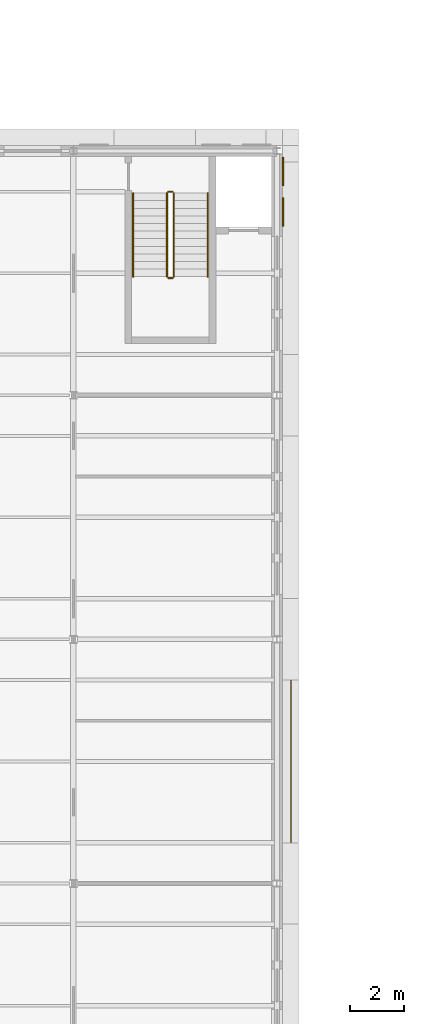
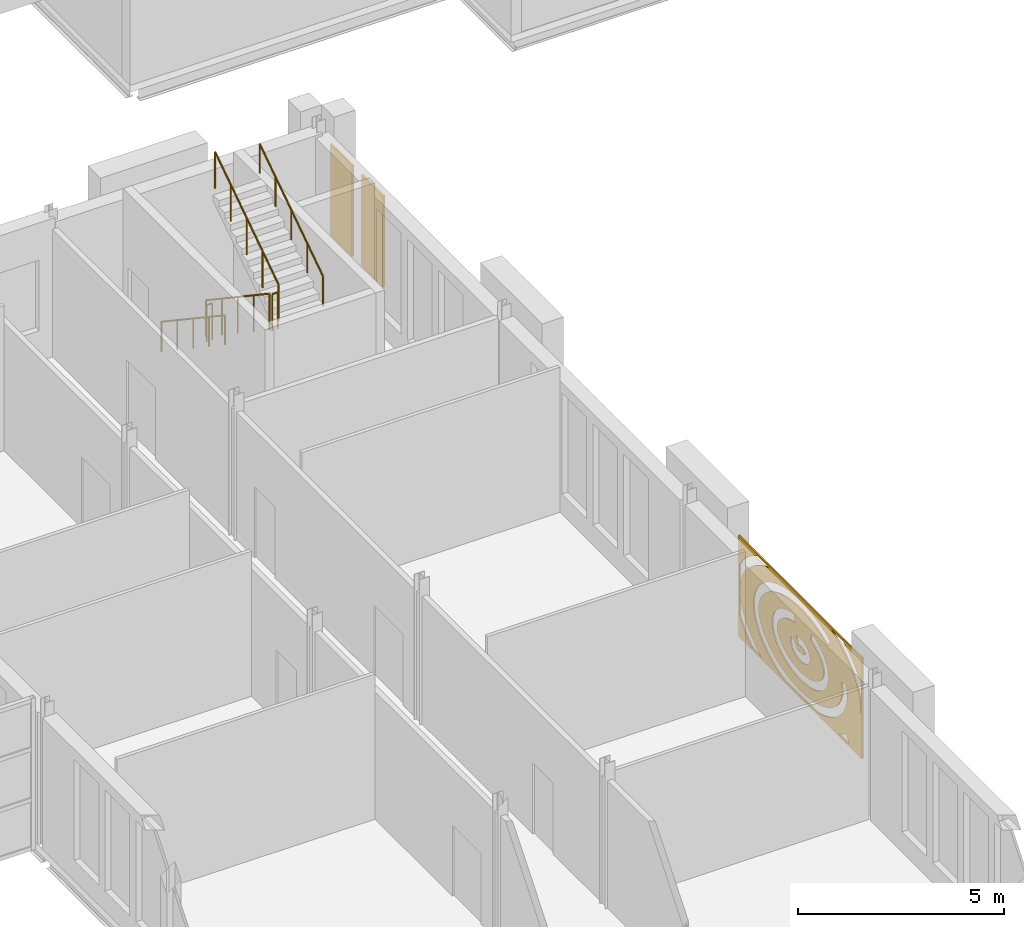
# One storey, part 116 of 131: 6 railings, 3 coverings.
"""IFC4 building model written with IfcOpenShell, lengths in metres."""

import ifcopenshell
import ifcopenshell.guid

model = None  # the IFC model being written
_history = None  # IfcOwnerHistory: only IFC2X3 demands one
_inside = {}  # id of a spatial element -> (the spatial element, [elements in it])
_under = {}  # id of a project, library or spatial element -> (it, [spatial elements below it])
_declared = {}  # id of a project -> (the project, [libraries it declares])
_typed = {}  # id of a type object -> (the type object, [elements of that type])
_made_of = {}  # id of a material, layer set ... -> (it, [elements and type objects made of it])


def new_model(schema):
    """Start an empty IFC model of exactly this schema.

    Asked for "IFC4X3", IfcOpenShell would pick the latest addendum, in which some entities
    have other attributes; the version numbers below select the first issue.
    IFC2X3 requires an IfcOwnerHistory on every rooted entity: one is made here for all.
    """
    global model, _history
    if schema == "IFC4X3":
        model = ifcopenshell.file(schema_version=(4, 3, 0, 0))
    else:
        model = ifcopenshell.file(schema=schema)
    _inside.clear()
    _under.clear()
    _declared.clear()
    _typed.clear()
    _made_of.clear()
    _history = None
    if model.schema == "IFC2X3":
        org = make("IfcOrganization", Name="unknown")
        user = make(
            "IfcPersonAndOrganization",
            ThePerson=make("IfcPerson", FamilyName="unknown"),
            TheOrganization=org,
        )
        app = make(
            "IfcApplication",
            ApplicationDeveloper=org,
            Version="unknown",
            ApplicationFullName="unknown",
            ApplicationIdentifier="unknown",
        )
        _history = make(
            "IfcOwnerHistory",
            OwningUser=user,
            OwningApplication=app,
            ChangeAction="ADDED",
            CreationDate=0,
        )
    return model


def make(cls, **values):
    """One entity of the class cls with the attributes given. An attribute that is None is left unset."""
    return model.create_entity(
        cls, **{name: value for name, value in values.items() if value is not None}
    )


def rooted(cls, **values):
    """An entity with a GlobalId (a new one), such as an element, a storey or a relation."""
    return make(cls, GlobalId=ifcopenshell.guid.new(), OwnerHistory=_history, **values)


def si_unit(unit_type, name, prefix=None):
    """IfcSIUnit, for example si_unit("LENGTHUNIT", "METRE", prefix="MILLI")."""
    return make("IfcSIUnit", UnitType=unit_type, Prefix=prefix, Name=name)


def assignment(units):
    """IfcUnitAssignment: the units of a project."""
    return None if units is None else make("IfcUnitAssignment", Units=units)


def point(xyz):
    """IfcCartesianPoint."""
    return None if xyz is None else make("IfcCartesianPoint", Coordinates=xyz)


def direction(xyz):
    """IfcDirection."""
    return None if xyz is None else make("IfcDirection", DirectionRatios=xyz)


def frame(location, z_axis=None, x_axis=None):
    """IfcAxis2Placement3D, a coordinate frame: its origin and axes. An axis left out is left unset."""
    return make(
        "IfcAxis2Placement3D",
        Location=point(location),
        Axis=direction(z_axis),
        RefDirection=direction(x_axis),
    )


def frame_2d(location, x_axis=None):
    """IfcAxis2Placement2D, a coordinate frame in the plane: its origin and x axis."""
    return make(
        "IfcAxis2Placement2D", Location=point(location), RefDirection=direction(x_axis)
    )


def origin():
    """The frame at (0, 0, 0) with its axes left unset."""
    return frame((0.0, 0.0, 0.0))


def origin_2d():
    """The frame at (0, 0) in the plane with its x axis left unset."""
    return frame_2d((0.0, 0.0))


def place(relative_to, where):
    """IfcLocalPlacement: puts the frame where relative to a parent placement (None: the world)."""
    return make(
        "IfcLocalPlacement", PlacementRelTo=relative_to, RelativePlacement=where
    )


def context(
    kind, dimensions, precision=None, world=None, true_north=None, identifier=None
):
    """IfcGeometricRepresentationContext, for example the 3D "Model" context."""
    return make(
        "IfcGeometricRepresentationContext",
        ContextIdentifier=identifier,
        ContextType=kind,
        CoordinateSpaceDimension=dimensions,
        Precision=precision,
        WorldCoordinateSystem=world,
        TrueNorth=true_north,
    )


def subcontext(parent, identifier, kind, view, scale=None):
    """IfcGeometricRepresentationSubContext, for example "Body" below "Model"."""
    return make(
        "IfcGeometricRepresentationSubContext",
        ContextIdentifier=identifier,
        ContextType=kind,
        ParentContext=parent,
        TargetScale=scale,
        TargetView=view,
    )


def project(units=None, contexts=None):
    """IfcProject with its units and contexts."""
    return rooted(
        "IfcProject",
        Name="project",
        RepresentationContexts=contexts,
        UnitsInContext=assignment(units),
    )


def spatial(cls, under=None, at=None, **own):
    """A site, building, storey or space (cls), placed at a placement, below another one or the project."""
    s = rooted(cls, ObjectPlacement=at, **own)
    if under is not None:
        _under.setdefault(under.id(), (under, []))[1].append(s)
    return s


def polyline(points):
    """IfcPolyline through the points."""
    return make("IfcPolyline", Points=[point(p) for p in points])


def profile(cls, at=None, kind="AREA", **sizes):
    """A parametric profile (cls). Its sizes go by their IFC names, for example OverallWidth=200.0."""
    return make(cls, ProfileType=kind, Position=at, **sizes)


def circle(**sizes):
    """IfcCircleProfileDef."""
    return profile("IfcCircleProfileDef", **sizes)


def outline(outer, holes=None, kind="AREA"):
    """IfcArbitraryClosedProfileDef: a profile drawn as a closed curve; with holes, ...WithVoids."""
    if holes is None:
        return make("IfcArbitraryClosedProfileDef", ProfileType=kind, OuterCurve=outer)
    return make(
        "IfcArbitraryProfileDefWithVoids",
        ProfileType=kind,
        OuterCurve=outer,
        InnerCurves=holes,
    )


def extrude(swept, where, along, depth):
    """IfcExtrudedAreaSolid: the profile swept, set in the frame where, extruded along a direction by depth."""
    return make(
        "IfcExtrudedAreaSolid",
        SweptArea=swept,
        Position=where,
        ExtrudedDirection=direction(along),
        Depth=depth,
    )


def shape(context_of_items, identifier, shape_type, items):
    """IfcShapeRepresentation: the items that make up one representation, for example the "Body"."""
    return make(
        "IfcShapeRepresentation",
        ContextOfItems=context_of_items,
        RepresentationIdentifier=identifier,
        RepresentationType=shape_type,
        Items=items,
    )


def material(Name=None, Category=None):
    """IfcMaterial."""
    return make("IfcMaterial", Name=Name, Category=Category)


def layer(
    of_material, thickness, ventilated=None, Name=None, Category=None, Priority=None
):
    """IfcMaterialLayer: one layer of a wall or slab, of a material (None: an air gap)."""
    return make(
        "IfcMaterialLayer",
        Material=of_material,
        LayerThickness=thickness,
        IsVentilated=ventilated,
        Name=Name,
        Category=Category,
        Priority=Priority,
    )


def layer_set(layers, Name=None):
    """IfcMaterialLayerSet."""
    return make("IfcMaterialLayerSet", MaterialLayers=layers, LayerSetName=Name)


def made_of(thing, what):
    """Note that an element or type object is made of a material, layer set ...; save() writes the relation."""
    if what is not None:
        _made_of.setdefault(what.id(), (what, []))[1].append(thing)
    return thing


def type_object(cls, material=None, **own):
    """A type object (cls), such as IfcWallType, which elements share."""
    return made_of(rooted(cls, **own), material)


def element(
    cls,
    number,
    at=None,
    inside=None,
    cuts=None,
    type_object=None,
    material=None,
    context=None,
    identifier="Body",
    shape_type=None,
    held_by="IfcProductDefinitionShape",
    body=None,
    shapes=None,
    **own,
):
    """One element of the class cls, such as IfcWall. Its Tag is "e" and its number.

    at: its placement. inside: the storey or other place that contains it. cuts: it is an
    opening in that element (IfcRelVoidsElement). A single representation is given by context,
    identifier, shape_type and body (its items); several are given by shapes. held_by: the class
    of the entity that holds the representations. save() writes the other relations.
    """
    e = rooted(cls, Tag="e%d" % number, ObjectPlacement=at, **own)
    if body is not None:
        shapes = [shape(context, identifier, shape_type, body)]
    if shapes is not None:
        e.Representation = make(held_by, Representations=shapes)
    if inside is not None:
        _inside.setdefault(inside.id(), (inside, []))[1].append(e)
    if cuts is not None:
        rooted(
            "IfcRelVoidsElement", RelatingBuildingElement=cuts, RelatedOpeningElement=e
        )
    if type_object is not None:
        _typed.setdefault(type_object.id(), (type_object, []))[1].append(e)
    return made_of(e, material)


def aggregate(whole, parts):
    """IfcRelAggregates: a whole, such as a stair, and the parts it consists of."""
    return rooted("IfcRelAggregates", RelatingObject=whole, RelatedObjects=parts)


def save(model, path):
    """Write the relations noted so far, then the file.

    IfcRelAggregates (storeys below a building ...), IfcRelContainedInSpatialStructure (elements
    in a storey), IfcRelDefinesByType, IfcRelAssociatesMaterial and IfcRelDeclares: one each for
    every whole, place, type object, material and project.
    """
    for whole, parts in _under.values():
        aggregate(whole, parts)
    for where, things in _inside.values():
        rooted(
            "IfcRelContainedInSpatialStructure",
            RelatedElements=things,
            RelatingStructure=where,
        )
    for kind, things in _typed.values():
        rooted("IfcRelDefinesByType", RelatedObjects=things, RelatingType=kind)
    for what, things in _made_of.values():
        rooted("IfcRelAssociatesMaterial", RelatedObjects=things, RelatingMaterial=what)
    for by, libraries in _declared.values():
        rooted("IfcRelDeclares", RelatingContext=by, RelatedDefinitions=libraries)
    model.write(path)


model = new_model("IFC4")

# Units and contexts
model_context = context("Model", 3, precision=1e-05, world=origin(), true_north=direction((0.0, 1.0)))
body_context = subcontext(model_context, "Body", "Model", "MODEL_VIEW")
ifc_project = project(units=[si_unit("LENGTHUNIT", "METRE"), si_unit("AREAUNIT", "SQUARE_METRE"), si_unit("VOLUMEUNIT", "CUBIC_METRE"), si_unit("PLANEANGLEUNIT", "RADIAN"), si_unit("MASSUNIT", "GRAM", prefix="KILO")], contexts=[model_context])

# Site, building, storey
site_placement = place(None, origin())
site = spatial("IfcSite", under=ifc_project, at=site_placement, CompositionType="ELEMENT")
building_placement = place(site_placement, origin())
building = spatial("IfcBuilding", under=site, at=building_placement, Name="Golden Quay Civic Hall", CompositionType="ELEMENT")
storey_placement = place(building_placement, frame((0.0, 0.0, 9.89990234375)))
storey = spatial("IfcBuildingStorey", under=building, at=storey_placement, Name="L02", CompositionType="ELEMENT", Elevation=9.89990234375)

# Covering
ifc_material_1 = material(Name="Aluminium, golden anodised, perforated", Category="aluminium")
ifc_layer_1 = layer(ifc_material_1, 0.0400390625)
ifc_layer_set_1 = layer_set([ifc_layer_1], Name="Perforated screen panel 6000 x 3000 x 40")
covering_type_1 = type_object("IfcCoveringType", Name="Perforated screen panel 6000 x 3000 x 40", PredefinedType="CLADDING", material=ifc_layer_set_1)
covering_1_placement = place(storey_placement, frame((117.5, 31.5, 2.10009765625), z_axis=(1.0, 0.0, 0.0), x_axis=(0.0, 1.0, 0.0)))
element("IfcCovering", 1, at=covering_1_placement, inside=storey, type_object=covering_type_1, Name="Perforated screen panel 6000 x 3000 x 40 L02 9", PredefinedType="CLADDING", context=body_context, shape_type="SweptSolid", body=[
    extrude(outline(polyline([(-3.0, -1.5), (3.0, -1.5), (3.0, 1.5), (-3.0, 1.5), (-3.0, -1.5)]), holes=[polyline([(0.0810546875, 0.0087890625), (0.03125, 0.015380859375), (-0.02001953125, 0.01611328125), (-0.070556640625, 0.0107421875), (-0.1171875, 0.0), (-0.157470703125, -0.014892578125), (-0.201904296875, -0.04150390625), (-0.223876953125, -0.065185546875), (-0.228515625, -0.07470703125), (-0.228271484375, -0.085205078125), (-0.211181640625, -0.10986328125), (-0.17431640625, -0.13671875), (-0.1376953125, -0.1533203125), (-0.093994140625, -0.166259765625), (-0.044921875, -0.17431640625), (0.006103515625, -0.176513671875), (0.05712890625, -0.1728515625), (0.10498046875, -0.16357421875), (0.1474609375, -0.1494140625), (0.1953125, -0.123291015625), (0.215087890625, -0.10595703125), (0.227783203125, -0.087158203125), (0.227783203125, -0.072998046875), (0.2177734375, -0.055908203125), (0.421630859375, 0.072509765625), (0.449951171875, 0.020263671875), (0.4619140625, -0.015380859375), (0.46875, -0.052978515625), (0.469970703125, -0.09130859375), (0.46533203125, -0.12939453125), (0.455322265625, -0.16650390625), (0.440185546875, -0.20166015625), (0.412109375, -0.24560546875), (0.370849609375, -0.29052734375), (0.3330078125, -0.321044921875), (0.277587890625, -0.3544921875), (0.206787109375, -0.38427734375), (0.162109375, -0.397705078125), (0.085205078125, -0.412109375), (0.006103515625, -0.41748046875), (-0.0732421875, -0.41357421875), (-0.151123046875, -0.400146484375), (-0.2177734375, -0.380615234375), (-0.28662109375, -0.349853515625), (-0.326904296875, -0.3251953125), (-0.3759765625, -0.285888671875), (-0.40966796875, -0.248779296875), (-0.441650390625, -0.198486328125), (-0.461181640625, -0.147705078125), (-0.47021484375, -0.089599609375), (-0.466064453125, -0.033447265625), (-0.448974609375, 0.02294921875), (-0.431640625, 0.056884765625), (-0.41015625, 0.088134765625), (-0.37646484375, 0.125244140625), (-0.319091796875, 0.17041015625), (-0.253662109375, 0.2060546875), (-0.18212890625, 0.232177734375), (-0.144775390625, 0.24169921875), (-0.07421875, 0.25341796875), (0.01220703125, 0.25732421875), (0.084228515625, 0.252197265625), (0.123046875, 0.24609375), (0.1982421875, 0.227294921875), (0.13037109375, -0.00390625), (0.0810546875, 0.0087890625)]), polyline([(-0.6474609375, 0.453369140625), (-0.7177734375, 0.421875), (-0.783447265625, 0.387451171875), (-0.84423828125, 0.350341796875), (-0.8994140625, 0.31103515625), (-0.948974609375, 0.27001953125), (-0.992431640625, 0.227294921875), (-1.02978515625, 0.18359375), (-1.061279296875, 0.139404296875), (-1.08642578125, 0.0947265625), (-1.105712890625, 0.050048828125), (-1.119140625, 0.005615234375), (-1.126953125, -0.03857421875), (-1.12939453125, -0.082763671875), (-1.126220703125, -0.126953125), (-1.117919921875, -0.171142578125), (-1.103515625, -0.215576171875), (-1.083740234375, -0.26025390625), (-1.0576171875, -0.3046875), (-1.025634765625, -0.34912109375), (-0.9873046875, -0.392578125), (-0.943115234375, -0.43505859375), (-0.892822265625, -0.47607421875), (-0.8369140625, -0.51513671875), (-0.775634765625, -0.5517578125), (-0.709228515625, -0.5859375), (-0.638427734375, -0.6171875), (-0.5634765625, -0.64501953125), (-0.48486328125, -0.66943359375), (-0.403076171875, -0.690185546875), (-0.318603515625, -0.707275390625), (-0.232177734375, -0.72021484375), (-0.144287109375, -0.72900390625), (-0.055419921875, -0.733642578125), (0.03369140625, -0.734130859375), (0.122802734375, -0.73046875), (0.2109375, -0.72265625), (0.2978515625, -0.710693359375), (0.3828125, -0.694580078125), (0.46533203125, -0.6748046875), (0.544677734375, -0.6513671875), (0.62060546875, -0.624267578125), (0.692626953125, -0.59375), (0.760009765625, -0.560302734375), (0.822509765625, -0.524169921875), (0.8798828125, -0.485595703125), (0.931396484375, -0.4453125), (0.977294921875, -0.403076171875), (1.016845703125, -0.359619140625), (1.050537109375, -0.315673828125), (1.077880859375, -0.27099609375), (1.099365234375, -0.226318359375), (1.114990234375, -0.181884765625), (1.124755859375, -0.1376953125), (1.129150390625, -0.093505859375), (1.1279296875, -0.04931640625), (1.12158203125, -0.005126953125), (1.109619140625, 0.039306640625), (1.091796875, 0.083984375), (1.06787109375, 0.12841796875), (1.0380859375, 0.1728515625), (1.002197265625, 0.216796875), (0.9599609375, 0.259765625), (0.911865234375, 0.30126953125), (0.858154296875, 0.341064453125), (0.798583984375, 0.378662109375), (0.734130859375, 0.413818359375), (0.6650390625, 0.446044921875), (0.59130859375, 0.47509765625), (0.513916015625, 0.5009765625), (0.433349609375, 0.523193359375), (0.349853515625, 0.54150390625), (0.26123046875, 0.556396484375), (0.30126953125, 0.7939453125), (0.392822265625, 0.778564453125), (0.488037109375, 0.7578125), (0.587158203125, 0.73046875), (0.670654296875, 0.70263671875), (0.757080078125, 0.668701171875), (0.83935546875, 0.630615234375), (0.92431640625, 0.584228515625), (0.997802734375, 0.537353515625), (1.05859375, 0.4921875), (1.121337890625, 0.438720703125), (1.177734375, 0.381591796875), (1.23486328125, 0.31201171875), (1.277587890625, 0.2470703125), (1.307373046875, 0.19140625), (1.335693359375, 0.122314453125), (1.35595703125, 0.051025390625), (1.36865234375, -0.0361328125), (1.369384765625, -0.109619140625), (1.361328125, -0.182861328125), (1.344482421875, -0.254638671875), (1.32470703125, -0.31201171875), (1.286376953125, -0.39208984375), (1.245849609375, -0.456787109375), (1.205322265625, -0.510009765625), (1.14404296875, -0.576904296875), (1.083984375, -0.6318359375), (1.025146484375, -0.677978515625), (0.946533203125, -0.730712890625), (0.870361328125, -0.7744140625), (0.79638671875, -0.811279296875), (0.704833984375, -0.849853515625), (0.616455078125, -0.88134765625), (0.524658203125, -0.908203125), (0.430419921875, -0.930908203125), (0.339599609375, -0.947998046875), (0.2353515625, -0.96240234375), (0.135498046875, -0.97119140625), (0.035400390625, -0.97509765625), (-0.0595703125, -0.974609375), (-0.159912109375, -0.969482421875), (-0.264892578125, -0.958740234375), (-0.357421875, -0.945068359375), (-0.453369140625, -0.92578125), (-0.55322265625, -0.900390625), (-0.63818359375, -0.8740234375), (-0.725830078125, -0.841796875), (-0.809814453125, -0.804931640625), (-0.889404296875, -0.764404296875), (-0.96435546875, -0.719482421875), (-1.034423828125, -0.6708984375), (-1.09912109375, -0.618896484375), (-1.15771484375, -0.56298828125), (-1.21728515625, -0.4951171875), (-1.2626953125, -0.431396484375), (-1.30078125, -0.364501953125), (-1.326416015625, -0.307861328125), (-1.349609375, -0.2373046875), (-1.3662109375, -0.150634765625), (-1.3701171875, -0.091796875), (-1.3671875, -0.018310546875), (-1.351806640625, 0.068603515625), (-1.32958984375, 0.13916015625), (-1.29931640625, 0.20751953125), (-1.261474609375, 0.2734375), (-1.223388671875, 0.327392578125), (-1.171875, 0.38818359375), (-1.114013671875, 0.445556640625), (-1.042724609375, 0.504638671875), (-0.973388671875, 0.5537109375), (-0.89892578125, 0.598876953125), (-0.81982421875, 0.64013671875), (-0.736328125, 0.67724609375), (-0.649169921875, 0.710205078125), (-0.564697265625, 0.7373046875), (-0.49169921875, 0.507568359375), (-0.572998046875, 0.481689453125), (-0.6474609375, 0.453369140625)]), polyline([(-2.023193359375, 0.012939453125), (-2.029052734375, -0.059814453125), (-2.02734375, -0.13232421875), (-2.018310546875, -0.205078125), (-2.001708984375, -0.277587890625), (-1.977294921875, -0.349853515625), (-1.9453125, -0.421875), (-1.905517578125, -0.492919921875), (-1.85791015625, -0.563232421875), (-1.802734375, -0.632080078125), (-1.739990234375, -0.69921875), (-1.669921875, -0.764404296875), (-1.592529296875, -0.8271484375), (-1.50830078125, -0.886962890625), (-1.417724609375, -0.94384765625), (-1.32080078125, -0.997314453125), (-1.218017578125, -1.046875), (-1.110107421875, -1.092529296875), (-0.997314453125, -1.1337890625), (-0.88037109375, -1.1708984375), (-0.759521484375, -1.203125), (-0.635009765625, -1.230712890625), (-0.508056640625, -1.25341796875), (-0.37890625, -1.27099609375), (-0.248046875, -1.283203125), (-0.115966796875, -1.29052734375), (0.0166015625, -1.29248046875), (0.14892578125, -1.289306640625), (0.280517578125, -1.28076171875), (0.4111328125, -1.26708984375), (0.539794921875, -1.248291015625), (0.666259765625, -1.224365234375), (0.789794921875, -1.195556640625), (0.909912109375, -1.162109375), (1.02587890625, -1.1240234375), (1.137451171875, -1.08154296875), (1.244140625, -1.034912109375), (1.345458984375, -0.984130859375), (1.44091796875, -0.929931640625), (1.52978515625, -0.872314453125), (1.6123046875, -0.811767578125), (1.68798828125, -0.748291015625), (1.75634765625, -0.6826171875), (1.817138671875, -0.614990234375), (1.87060546875, -0.5458984375), (1.916015625, -0.475341796875), (1.953857421875, -0.404052734375), (1.98388671875, -0.33203125), (2.00634765625, -0.259521484375), (2.021240234375, -0.18701171875), (2.028564453125, -0.1142578125), (2.0283203125, -0.04150390625), (2.0205078125, 0.031005859375), (2.00537109375, 0.103759765625), (1.982421875, 0.176025390625), (1.951904296875, 0.248046875), (1.913818359375, 0.3193359375), (1.86767578125, 0.389892578125), (1.81396484375, 0.458984375), (1.752685546875, 0.5263671875), (1.683837890625, 0.592041015625), (1.60791015625, 0.6552734375), (1.525146484375, 0.7158203125), (1.435546875, 0.773193359375), (1.33984375, 0.8271484375), (1.23828125, 0.87744140625), (1.13134765625, 0.924072265625), (1.01953125, 0.96630859375), (0.9033203125, 1.004150390625), (0.782958984375, 1.037353515625), (0.6591796875, 1.06591796875), (0.53271484375, 1.08935546875), (0.40380859375, 1.10791015625), (0.273193359375, 1.121337890625), (0.1416015625, 1.12939453125), (0.009033203125, 1.132568359375), (-0.123291015625, 1.130126953125), (-0.25537109375, 1.122802734375), (-0.385986328125, 1.110107421875), (-0.515380859375, 1.09228515625), (-0.64208984375, 1.0693359375), (-0.76611328125, 1.04150390625), (-0.886962890625, 1.0087890625), (-1.00390625, 0.9716796875), (-1.116455078125, 0.929931640625), (-1.22412109375, 0.884033203125), (-1.3291015625, 0.8330078125), (-1.434814453125, 1.04931640625), (-1.3212890625, 1.1044921875), (-1.208251953125, 1.15283203125), (-1.07958984375, 1.200439453125), (-0.952392578125, 1.24072265625), (-0.821533203125, 1.27587890625), (-0.6923828125, 1.304931640625), (-0.55078125, 1.33056640625), (-0.411865234375, 1.349609375), (-0.276123046875, 1.36279296875), (-0.1298828125, 1.37109375), (0.00732421875, 1.373291015625), (0.1494140625, 1.370361328125), (0.290771484375, 1.361572265625), (0.430908203125, 1.347412109375), (0.574462890625, 1.32666015625), (0.705810546875, 1.30224609375), (0.839599609375, 1.271484375), (0.97509765625, 1.23388671875), (1.0966796875, 1.194580078125), (1.21923828125, 1.148193359375), (1.3427734375, 1.0947265625), (1.449951171875, 1.04150390625), (1.556884765625, 0.981201171875), (1.664306640625, 0.912353515625), (1.753173828125, 0.847412109375), (1.841064453125, 0.774658203125), (1.927978515625, 0.691650390625), (1.99560546875, 0.617431640625), (2.06103515625, 0.53369140625), (2.12353515625, 0.437744140625), (2.1669921875, 0.357177734375), (2.20654296875, 0.264892578125), (2.239990234375, 0.158935546875), (2.257568359375, 0.07470703125), (2.2685546875, -0.0224609375), (2.26953125, -0.119873046875), (2.258544921875, -0.229248046875), (2.23828125, -0.3251953125), (2.20849609375, -0.419677734375), (2.169189453125, -0.511962890625), (2.12109375, -0.601806640625), (2.064453125, -0.68896484375), (1.999267578125, -0.772705078125), (1.926513671875, -0.853515625), (1.845947265625, -0.930419921875), (1.75830078125, -1.003662109375), (1.669677734375, -1.068603515625), (1.568603515625, -1.134033203125), (1.461669921875, -1.1953125), (1.34912109375, -1.251708984375), (1.2314453125, -1.303466796875), (1.10888671875, -1.35009765625), (0.982421875, -1.391845703125), (0.802490234375, -1.43994140625), (-0.80419921875, -1.43994140625), (-0.9501953125, -1.4013671875), (-1.072509765625, -1.36279296875), (-1.196044921875, -1.317626953125), (-1.3203125, -1.264892578125), (-1.4287109375, -1.212646484375), (-1.536865234375, -1.153076171875), (-1.645263671875, -1.085205078125), (-1.7353515625, -1.02099609375), (-1.82470703125, -0.948974609375), (-1.9130859375, -0.86669921875), (-1.98779296875, -0.786376953125), (-2.049072265625, -0.7099609375), (-2.10791015625, -0.623779296875), (-2.1630859375, -0.52490234375), (-2.19970703125, -0.44287109375), (-2.231689453125, -0.348876953125), (-2.25439453125, -0.253173828125), (-2.26806640625, -0.14404296875), (-2.269775390625, -0.046630859375), (-2.26123046875, 0.050537109375), (-2.242919921875, 0.146728515625), (-2.21875, 0.230712890625), (-1.9873046875, 0.163818359375), (-2.010009765625, 0.085693359375), (-2.023193359375, 0.012939453125)]), polyline([(-2.008056640625, -1.365478515625), (-1.868408203125, -1.43994140625), (-2.34033203125, -1.43994140625), (-2.369140625, -1.42041015625), (-2.234619140625, -1.220703125), (-2.123291015625, -1.2958984375), (-2.008056640625, -1.365478515625)]), polyline([(1.86865234375, -1.43994140625), (2.0029296875, -1.368408203125), (2.118408203125, -1.298828125), (2.227294921875, -1.225830078125), (2.3291015625, -1.1494140625), (2.423583984375, -1.06982421875), (2.510498046875, -0.98779296875), (2.589599609375, -0.9033203125), (2.660400390625, -0.816650390625), (2.723388671875, -0.728271484375), (2.77783203125, -0.63818359375), (2.823974609375, -0.54736328125), (2.86181640625, -0.455322265625), (2.89111328125, -0.36279296875), (2.912353515625, -0.269775390625), (2.925048828125, -0.176513671875), (2.929443359375, -0.0830078125), (2.925537109375, 0.010498046875), (2.913330078125, 0.10400390625), (2.892822265625, 0.197021484375), (2.864013671875, 0.28955078125), (2.82666015625, 0.381591796875), (2.781005859375, 0.47265625), (2.726806640625, 0.5625), (2.66455078125, 0.651123046875), (2.593994140625, 0.73779296875), (2.515625, 0.822509765625), (2.42919921875, 0.90478515625), (2.335205078125, 0.984619140625), (2.23388671875, 1.06103515625), (2.12548828125, 1.134521484375), (2.01025390625, 1.2041015625), (1.888671875, 1.27001953125), (1.760986328125, 1.331787109375), (1.6279296875, 1.389404296875), (1.495849609375, 1.43994140625), (2.080810546875, 1.43994140625), (2.252685546875, 1.339111328125), (2.371337890625, 1.2587890625), (2.483154296875, 1.1748046875), (2.587646484375, 1.08642578125), (2.6845703125, 0.994384765625), (2.778564453125, 0.892822265625), (2.859130859375, 0.793212890625), (2.93994140625, 0.67578125), (2.93994140625, -0.83544921875), (2.849365234375, -0.966064453125), (2.76806640625, -1.064697265625), (2.683837890625, -1.155029296875), (2.586669921875, -1.247314453125), (2.481689453125, -1.3359375), (2.34033203125, -1.43994140625), (1.86865234375, -1.43994140625)]), polyline([(-1.616943359375, 1.393798828125), (-1.75048828125, 1.336669921875), (-1.878662109375, 1.275146484375), (-2.00048828125, 1.209716796875), (-2.1162109375, 1.14013671875), (-2.225341796875, 1.067138671875), (-2.327392578125, 0.99072265625), (-2.421875, 0.911376953125), (-2.5087890625, 0.829345703125), (-2.588134765625, 0.744873046875), (-2.6591796875, 0.658203125), (-2.72216796875, 0.56982421875), (-2.77685546875, 0.47998046875), (-2.8232421875, 0.388916015625), (-2.861083984375, 0.297119140625), (-2.890625, 0.20458984375), (-2.912109375, 0.111328125), (-2.9248046875, 0.01806640625), (-2.929443359375, -0.075439453125), (-2.925537109375, -0.17431640625), (-2.93994140625, -0.1748046875), (-2.93994140625, 0.67529296875), (-2.85302734375, 0.801513671875), (-2.771728515625, 0.90087890625), (-2.677001953125, 1.001953125), (-2.579345703125, 1.09375), (-2.474365234375, 1.181640625), (-2.362060546875, 1.265380859375), (-2.247802734375, 1.342041015625), (-2.080810546875, 1.43994140625), (-1.4951171875, 1.43994140625), (-1.616943359375, 1.393798828125)])]), origin(), (0.0, 0.0, 1.0), 0.0400390625),
])

# Railings
ifc_material_2 = material(Name="Steel S355", Category="steel")
railing_type_1 = type_object("IfcRailingType", Name="Steel guard 1100", PredefinedType="GUARDRAIL", material=ifc_material_2)
railing_1_placement = place(storey_placement, frame((112.949951171875, 52.449951171875, 0.1875)))
element("IfcRailing", 2, at=railing_1_placement, inside=storey, type_object=railing_type_1, Name="L02 EM-N stair guard 1", PredefinedType="GUARDRAIL", context=body_context, shape_type="SweptSolid", body=[
    extrude(circle(Radius=0.02392578125, at=origin_2d()), frame((0.0, 0.0, 1.076171875), z_axis=(0.0, -0.830893310487, 0.556431762742), x_axis=(1.0, 0.0, 0.0)), (0.0, 0.0, 1.0), 3.70654296875),
    extrude(circle(Radius=0.02099609375, at=origin_2d()), origin(), (0.0, 0.0, 1.0), 1.052001953125),
    extrude(circle(Radius=0.02099609375, at=origin_2d()), frame((0.0, -0.77001953125, 0.515625)), (0.0, 0.0, 1.0), 1.052001953125),
    extrude(circle(Radius=0.02099609375, at=origin_2d()), frame((0.0, -1.5400390625, 1.03125)), (0.0, 0.0, 1.0), 1.052001953125),
    extrude(circle(Radius=0.02099609375, at=origin_2d()), frame((0.0, -2.309814453125, 1.546875)), (0.0, 0.0, 1.0), 1.052001953125),
    extrude(circle(Radius=0.02099609375, at=origin_2d()), frame((0.0, -3.079833984375, 2.0625)), (0.0, 0.0, 1.0), 1.052001953125),
])
railing_2_placement = place(storey_placement, frame((113.0, 49.320068359375, 2.25)))
element("IfcRailing", 3, at=railing_2_placement, inside=storey, type_object=railing_type_1, Name="L02 EM-N stair guard 2", PredefinedType="GUARDRAIL", context=body_context, shape_type="SweptSolid", body=[
    extrude(circle(Radius=0.02392578125, at=origin_2d()), frame((0.0, 0.0, 1.076171875), z_axis=(1.0, 0.0, 0.0), x_axis=(0.0, 1.0, 0.0)), (0.0, 0.0, 1.0), 0.14990234375),
    extrude(circle(Radius=0.02099609375, at=origin_2d()), origin(), (0.0, 0.0, 1.0), 1.052001953125),
    extrude(circle(Radius=0.02099609375, at=origin_2d()), frame((0.14990234375, 0.0, 0.0)), (0.0, 0.0, 1.0), 1.052001953125),
])
railing_3_placement = place(storey_placement, frame((113.199951171875, 49.3701171875, 2.4375)))
element("IfcRailing", 4, at=railing_3_placement, inside=storey, type_object=railing_type_1, Name="L02 EM-N stair guard 3", PredefinedType="GUARDRAIL", context=body_context, shape_type="SweptSolid", body=[
    extrude(circle(Radius=0.02392578125, at=origin_2d()), frame((0.0, 0.0, 1.076171875), z_axis=(0.0, 0.830893310487, 0.556431762742), x_axis=(-1.0, 0.0, 0.0)), (0.0, 0.0, 1.0), 3.70654296875),
    extrude(circle(Radius=0.02099609375, at=origin_2d()), origin(), (0.0, 0.0, 1.0), 1.052001953125),
    extrude(circle(Radius=0.02099609375, at=origin_2d()), frame((0.0, 0.77001953125, 0.515625)), (0.0, 0.0, 1.0), 1.052001953125),
    extrude(circle(Radius=0.02099609375, at=origin_2d()), frame((0.0, 1.5400390625, 1.03125)), (0.0, 0.0, 1.0), 1.052001953125),
    extrude(circle(Radius=0.02099609375, at=origin_2d()), frame((0.0, 2.309814453125, 1.546875)), (0.0, 0.0, 1.0), 1.052001953125),
    extrude(circle(Radius=0.02099609375, at=origin_2d()), frame((0.0, 3.079833984375, 2.0625)), (0.0, 0.0, 1.0), 1.052001953125),
])
railing_4_placement = place(storey_placement, frame((113.0, 52.5, 0.0)))
element("IfcRailing", 5, at=railing_4_placement, inside=storey, type_object=railing_type_1, Name="L02 EM-N stair guard 4", PredefinedType="GUARDRAIL", context=body_context, shape_type="SweptSolid", body=[
    extrude(circle(Radius=0.02392578125, at=origin_2d()), frame((0.0, 0.0, 1.076171875), z_axis=(1.0, 0.0, 0.0), x_axis=(0.0, 1.0, 0.0)), (0.0, 0.0, 1.0), 0.14990234375),
    extrude(circle(Radius=0.02099609375, at=origin_2d()), origin(), (0.0, 0.0, 1.0), 1.052001953125),
    extrude(circle(Radius=0.02099609375, at=origin_2d()), frame((0.14990234375, 0.0, 0.0)), (0.0, 0.0, 1.0), 1.052001953125),
])
ifc_material_3 = material(Name="Steel S355", Category="steel")
railing_type_2 = type_object("IfcRailingType", Name="Steel handrail 900", PredefinedType="HANDRAIL", material=ifc_material_3)
railing_5_placement = place(storey_placement, frame((111.699951171875, 52.449951171875, 0.1875)))
element("IfcRailing", 6, at=railing_5_placement, inside=storey, type_object=railing_type_2, Name="L02 EM-N stair handrail 1", PredefinedType="HANDRAIL", context=body_context, shape_type="SweptSolid", body=[
    extrude(circle(Radius=0.02392578125, at=origin_2d()), frame((0.0, 0.0, 0.8759765625), z_axis=(0.0, -0.830893310487, 0.556431762742), x_axis=(1.0, 0.0, 0.0)), (0.0, 0.0, 1.0), 3.70654296875),
    extrude(circle(Radius=0.02099609375, at=origin_2d()), origin(), (0.0, 0.0, 1.0), 0.851806640625),
    extrude(circle(Radius=0.02099609375, at=origin_2d()), frame((0.0, -0.77001953125, 0.515625)), (0.0, 0.0, 1.0), 0.851806640625),
    extrude(circle(Radius=0.02099609375, at=origin_2d()), frame((0.0, -1.5400390625, 1.03125)), (0.0, 0.0, 1.0), 0.851806640625),
    extrude(circle(Radius=0.02099609375, at=origin_2d()), frame((0.0, -2.309814453125, 1.546875)), (0.0, 0.0, 1.0), 0.851806640625),
    extrude(circle(Radius=0.02099609375, at=origin_2d()), frame((0.0, -3.079833984375, 2.0625)), (0.0, 0.0, 1.0), 0.851806640625),
])
railing_6_placement = place(storey_placement, frame((114.449951171875, 49.3701171875, 2.4375)))
element("IfcRailing", 7, at=railing_6_placement, inside=storey, type_object=railing_type_2, Name="L02 EM-N stair handrail 2", PredefinedType="HANDRAIL", context=body_context, shape_type="SweptSolid", body=[
    extrude(circle(Radius=0.02392578125, at=origin_2d()), frame((0.0, 0.0, 0.8759765625), z_axis=(0.0, 0.830893310487, 0.556431762742), x_axis=(-1.0, 0.0, 0.0)), (0.0, 0.0, 1.0), 3.70654296875),
    extrude(circle(Radius=0.02099609375, at=origin_2d()), origin(), (0.0, 0.0, 1.0), 0.851806640625),
    extrude(circle(Radius=0.02099609375, at=origin_2d()), frame((0.0, 0.77001953125, 0.515625)), (0.0, 0.0, 1.0), 0.851806640625),
    extrude(circle(Radius=0.02099609375, at=origin_2d()), frame((0.0, 1.5400390625, 1.03125)), (0.0, 0.0, 1.0), 0.851806640625),
    extrude(circle(Radius=0.02099609375, at=origin_2d()), frame((0.0, 2.309814453125, 1.546875)), (0.0, 0.0, 1.0), 0.851806640625),
    extrude(circle(Radius=0.02099609375, at=origin_2d()), frame((0.0, 3.079833984375, 2.0625)), (0.0, 0.0, 1.0), 0.851806640625),
])

# Coverings
ifc_material_4 = material(Name="Terracotta cladding, golden glaze", Category="masonry")
ifc_layer_2 = layer(ifc_material_4, 0.050048828125)
ifc_layer_set_2 = layer_set([ifc_layer_2], Name="Terracotta solid panel 1050 x 2700 x 50")
covering_type_2 = type_object("IfcCoveringType", Name="Terracotta solid panel 1050 x 2700 x 50", PredefinedType="CLADDING", material=ifc_layer_set_2)
covering_2_placement = place(storey_placement, frame((0.0, 0.0, 0.900146484375)))
element("IfcCovering", 8, at=covering_2_placement, inside=storey, type_object=covering_type_2, Name="Terracotta solid panel 1050 x 2700 x 50 L02 33", PredefinedType="CLADDING", context=body_context, shape_type="SweptSolid", body=[
    extrude(outline(polyline([(117.199951171875, 51.22509765625), (117.199951171875, 52.27490234375), (117.25, 52.27490234375), (117.25, 51.22509765625), (117.199951171875, 51.22509765625)])), origin(), (0.0, 0.0, 1.0), 2.699951171875),
])
covering_3_placement = place(storey_placement, frame((0.0, 0.0, 0.900146484375)))
element("IfcCovering", 9, at=covering_3_placement, inside=storey, type_object=covering_type_2, Name="Terracotta solid panel 1050 x 2700 x 50 L02 34", PredefinedType="CLADDING", context=body_context, shape_type="SweptSolid", body=[
    extrude(outline(polyline([(117.199951171875, 52.72509765625), (117.199951171875, 53.77490234375), (117.25, 53.77490234375), (117.25, 52.72509765625), (117.199951171875, 52.72509765625)])), origin(), (0.0, 0.0, 1.0), 2.699951171875),
])

save(model, "model.ifc")
